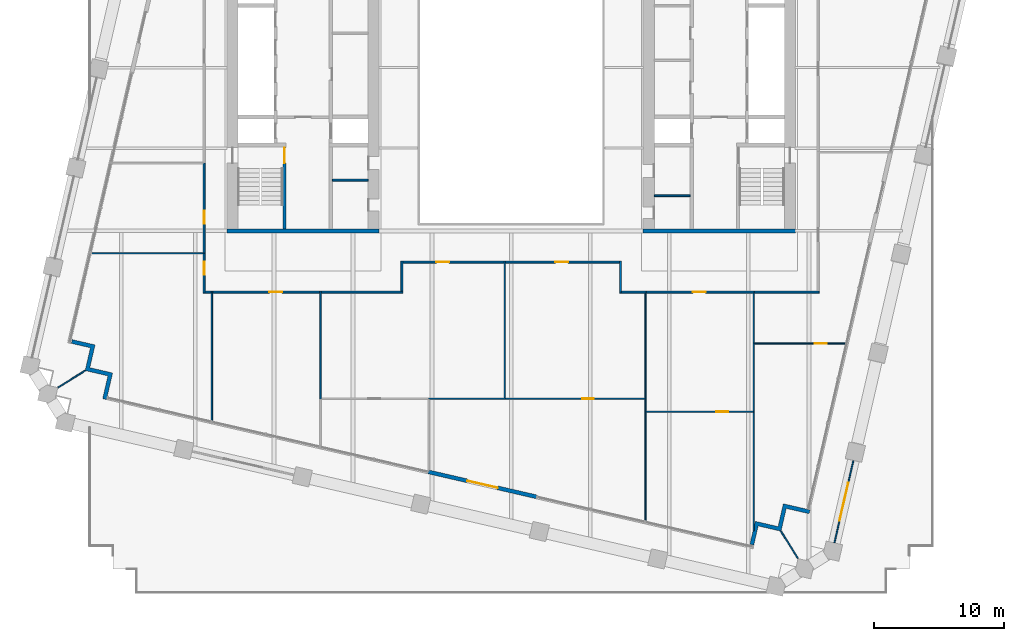
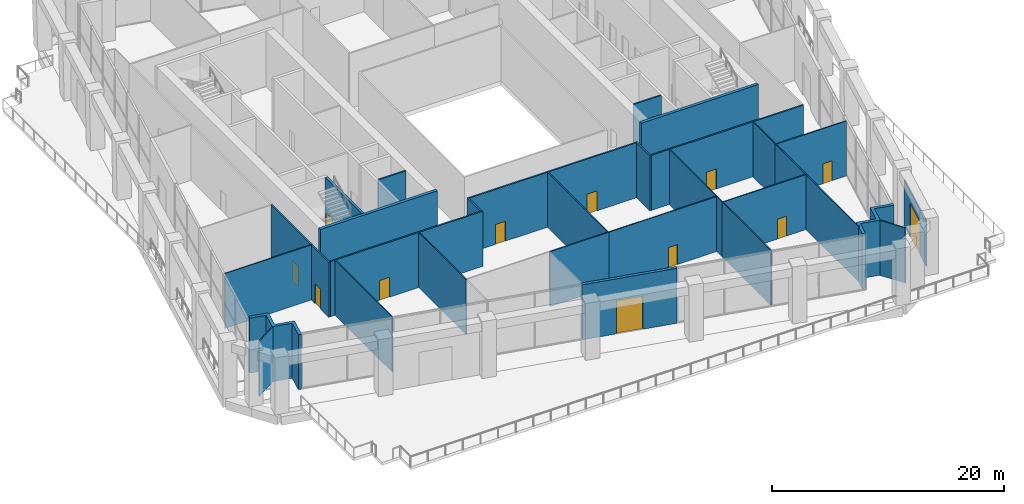
# One storey, part 15 of 23: 37 walls, 12 doors, 12 openings.
"""IFC4 building model written with IfcOpenShell, lengths in metres."""

import ifcopenshell
import ifcopenshell.guid

model = None  # the IFC model being written
_history = None  # IfcOwnerHistory: only IFC2X3 demands one
_inside = {}  # id of a spatial element -> (the spatial element, [elements in it])
_under = {}  # id of a project, library or spatial element -> (it, [spatial elements below it])
_declared = {}  # id of a project -> (the project, [libraries it declares])
_typed = {}  # id of a type object -> (the type object, [elements of that type])
_made_of = {}  # id of a material, layer set ... -> (it, [elements and type objects made of it])


def new_model(schema):
    """Start an empty IFC model of exactly this schema.

    Asked for "IFC4X3", IfcOpenShell would pick the latest addendum, in which some entities
    have other attributes; the version numbers below select the first issue.
    IFC2X3 requires an IfcOwnerHistory on every rooted entity: one is made here for all.
    """
    global model, _history
    if schema == "IFC4X3":
        model = ifcopenshell.file(schema_version=(4, 3, 0, 0))
    else:
        model = ifcopenshell.file(schema=schema)
    _inside.clear()
    _under.clear()
    _declared.clear()
    _typed.clear()
    _made_of.clear()
    _history = None
    if model.schema == "IFC2X3":
        org = make("IfcOrganization", Name="unknown")
        user = make(
            "IfcPersonAndOrganization",
            ThePerson=make("IfcPerson", FamilyName="unknown"),
            TheOrganization=org,
        )
        app = make(
            "IfcApplication",
            ApplicationDeveloper=org,
            Version="unknown",
            ApplicationFullName="unknown",
            ApplicationIdentifier="unknown",
        )
        _history = make(
            "IfcOwnerHistory",
            OwningUser=user,
            OwningApplication=app,
            ChangeAction="ADDED",
            CreationDate=0,
        )
    return model


def make(cls, **values):
    """One entity of the class cls with the attributes given. An attribute that is None is left unset."""
    return model.create_entity(
        cls, **{name: value for name, value in values.items() if value is not None}
    )


def rooted(cls, **values):
    """An entity with a GlobalId (a new one), such as an element, a storey or a relation."""
    return make(cls, GlobalId=ifcopenshell.guid.new(), OwnerHistory=_history, **values)


def si_unit(unit_type, name, prefix=None):
    """IfcSIUnit, for example si_unit("LENGTHUNIT", "METRE", prefix="MILLI")."""
    return make("IfcSIUnit", UnitType=unit_type, Prefix=prefix, Name=name)


def assignment(units):
    """IfcUnitAssignment: the units of a project."""
    return None if units is None else make("IfcUnitAssignment", Units=units)


def point(xyz):
    """IfcCartesianPoint."""
    return None if xyz is None else make("IfcCartesianPoint", Coordinates=xyz)


def direction(xyz):
    """IfcDirection."""
    return None if xyz is None else make("IfcDirection", DirectionRatios=xyz)


def frame(location, z_axis=None, x_axis=None):
    """IfcAxis2Placement3D, a coordinate frame: its origin and axes. An axis left out is left unset."""
    return make(
        "IfcAxis2Placement3D",
        Location=point(location),
        Axis=direction(z_axis),
        RefDirection=direction(x_axis),
    )


def frame_2d(location, x_axis=None):
    """IfcAxis2Placement2D, a coordinate frame in the plane: its origin and x axis."""
    return make(
        "IfcAxis2Placement2D", Location=point(location), RefDirection=direction(x_axis)
    )


def origin():
    """The frame at (0, 0, 0) with its axes left unset."""
    return frame((0.0, 0.0, 0.0))


def place(relative_to, where):
    """IfcLocalPlacement: puts the frame where relative to a parent placement (None: the world)."""
    return make(
        "IfcLocalPlacement", PlacementRelTo=relative_to, RelativePlacement=where
    )


def context(
    kind, dimensions, precision=None, world=None, true_north=None, identifier=None
):
    """IfcGeometricRepresentationContext, for example the 3D "Model" context."""
    return make(
        "IfcGeometricRepresentationContext",
        ContextIdentifier=identifier,
        ContextType=kind,
        CoordinateSpaceDimension=dimensions,
        Precision=precision,
        WorldCoordinateSystem=world,
        TrueNorth=true_north,
    )


def subcontext(parent, identifier, kind, view, scale=None):
    """IfcGeometricRepresentationSubContext, for example "Body" below "Model"."""
    return make(
        "IfcGeometricRepresentationSubContext",
        ContextIdentifier=identifier,
        ContextType=kind,
        ParentContext=parent,
        TargetScale=scale,
        TargetView=view,
    )


def project(units=None, contexts=None):
    """IfcProject with its units and contexts."""
    return rooted(
        "IfcProject",
        Name="project",
        RepresentationContexts=contexts,
        UnitsInContext=assignment(units),
    )


def spatial(cls, under=None, at=None, **own):
    """A site, building, storey or space (cls), placed at a placement, below another one or the project."""
    s = rooted(cls, ObjectPlacement=at, **own)
    if under is not None:
        _under.setdefault(under.id(), (under, []))[1].append(s)
    return s


def polyline(points):
    """IfcPolyline through the points."""
    return make("IfcPolyline", Points=[point(p) for p in points])


def profile(cls, at=None, kind="AREA", **sizes):
    """A parametric profile (cls). Its sizes go by their IFC names, for example OverallWidth=200.0."""
    return make(cls, ProfileType=kind, Position=at, **sizes)


def rectangle(**sizes):
    """IfcRectangleProfileDef."""
    return profile("IfcRectangleProfileDef", **sizes)


def outline(outer, holes=None, kind="AREA"):
    """IfcArbitraryClosedProfileDef: a profile drawn as a closed curve; with holes, ...WithVoids."""
    if holes is None:
        return make("IfcArbitraryClosedProfileDef", ProfileType=kind, OuterCurve=outer)
    return make(
        "IfcArbitraryProfileDefWithVoids",
        ProfileType=kind,
        OuterCurve=outer,
        InnerCurves=holes,
    )


def extrude(swept, where, along, depth):
    """IfcExtrudedAreaSolid: the profile swept, set in the frame where, extruded along a direction by depth."""
    return make(
        "IfcExtrudedAreaSolid",
        SweptArea=swept,
        Position=where,
        ExtrudedDirection=direction(along),
        Depth=depth,
    )


def shape(context_of_items, identifier, shape_type, items):
    """IfcShapeRepresentation: the items that make up one representation, for example the "Body"."""
    return make(
        "IfcShapeRepresentation",
        ContextOfItems=context_of_items,
        RepresentationIdentifier=identifier,
        RepresentationType=shape_type,
        Items=items,
    )


def material(Name=None, Category=None):
    """IfcMaterial."""
    return make("IfcMaterial", Name=Name, Category=Category)


def layer(
    of_material, thickness, ventilated=None, Name=None, Category=None, Priority=None
):
    """IfcMaterialLayer: one layer of a wall or slab, of a material (None: an air gap)."""
    return make(
        "IfcMaterialLayer",
        Material=of_material,
        LayerThickness=thickness,
        IsVentilated=ventilated,
        Name=Name,
        Category=Category,
        Priority=Priority,
    )


def layer_set(layers, Name=None):
    """IfcMaterialLayerSet."""
    return make("IfcMaterialLayerSet", MaterialLayers=layers, LayerSetName=Name)


def made_of(thing, what):
    """Note that an element or type object is made of a material, layer set ...; save() writes the relation."""
    if what is not None:
        _made_of.setdefault(what.id(), (what, []))[1].append(thing)
    return thing


def type_object(cls, material=None, **own):
    """A type object (cls), such as IfcWallType, which elements share."""
    return made_of(rooted(cls, **own), material)


def element(
    cls,
    number,
    at=None,
    inside=None,
    cuts=None,
    type_object=None,
    material=None,
    context=None,
    identifier="Body",
    shape_type=None,
    held_by="IfcProductDefinitionShape",
    body=None,
    shapes=None,
    **own,
):
    """One element of the class cls, such as IfcWall. Its Tag is "e" and its number.

    at: its placement. inside: the storey or other place that contains it. cuts: it is an
    opening in that element (IfcRelVoidsElement). A single representation is given by context,
    identifier, shape_type and body (its items); several are given by shapes. held_by: the class
    of the entity that holds the representations. save() writes the other relations.
    """
    e = rooted(cls, Tag="e%d" % number, ObjectPlacement=at, **own)
    if body is not None:
        shapes = [shape(context, identifier, shape_type, body)]
    if shapes is not None:
        e.Representation = make(held_by, Representations=shapes)
    if inside is not None:
        _inside.setdefault(inside.id(), (inside, []))[1].append(e)
    if cuts is not None:
        rooted(
            "IfcRelVoidsElement", RelatingBuildingElement=cuts, RelatedOpeningElement=e
        )
    if type_object is not None:
        _typed.setdefault(type_object.id(), (type_object, []))[1].append(e)
    return made_of(e, material)


def fill(opening, filler):
    """IfcRelFillsElement: the door or window that sits in an opening."""
    return rooted(
        "IfcRelFillsElement",
        RelatingOpeningElement=opening,
        RelatedBuildingElement=filler,
    )


def aggregate(whole, parts):
    """IfcRelAggregates: a whole, such as a stair, and the parts it consists of."""
    return rooted("IfcRelAggregates", RelatingObject=whole, RelatedObjects=parts)


def save(model, path):
    """Write the relations noted so far, then the file.

    IfcRelAggregates (storeys below a building ...), IfcRelContainedInSpatialStructure (elements
    in a storey), IfcRelDefinesByType, IfcRelAssociatesMaterial and IfcRelDeclares: one each for
    every whole, place, type object, material and project.
    """
    for whole, parts in _under.values():
        aggregate(whole, parts)
    for where, things in _inside.values():
        rooted(
            "IfcRelContainedInSpatialStructure",
            RelatedElements=things,
            RelatingStructure=where,
        )
    for kind, things in _typed.values():
        rooted("IfcRelDefinesByType", RelatedObjects=things, RelatingType=kind)
    for what, things in _made_of.values():
        rooted("IfcRelAssociatesMaterial", RelatedObjects=things, RelatingMaterial=what)
    for by, libraries in _declared.values():
        rooted("IfcRelDeclares", RelatingContext=by, RelatedDefinitions=libraries)
    model.write(path)


model = new_model("IFC4")

# Units and contexts
model_context = context("Model", 3, precision=1e-05, world=origin(), true_north=direction((0.0, 1.0)))
body_context = subcontext(model_context, "Body", "Model", "MODEL_VIEW")
ifc_project = project(units=[si_unit("LENGTHUNIT", "METRE"), si_unit("AREAUNIT", "SQUARE_METRE"), si_unit("VOLUMEUNIT", "CUBIC_METRE"), si_unit("PLANEANGLEUNIT", "RADIAN"), si_unit("MASSUNIT", "GRAM", prefix="KILO")], contexts=[model_context])

# Site, building, storey
site_placement = place(None, origin())
site = spatial("IfcSite", under=ifc_project, at=site_placement, CompositionType="ELEMENT")
building_placement = place(site_placement, origin())
building = spatial("IfcBuilding", under=site, at=building_placement, Name="Ogive Exchange Tower", CompositionType="ELEMENT")
storey_placement = place(building_placement, frame((0.0, 0.0, 99.60009765625)))
storey = spatial("IfcBuildingStorey", under=building, at=storey_placement, Name="L21", CompositionType="ELEMENT", Elevation=99.60009765625)

# Walls
ifc_material_1 = material(Name="Gypsum board partition")
ifc_layer_1 = layer(ifc_material_1, 0.14990234375)
ifc_layer_set_1 = layer_set([ifc_layer_1], Name="Core room partition 150 gypsum")
wall_type_1 = type_object("IfcWallType", Name="Core room partition 150 gypsum", PredefinedType="PARTITIONING", material=ifc_layer_set_1)
for number, where, z_axis, x_axis, name in (
    (1, (-13.75, 1.300048828125, 0.0), (0.0, 0.0, 1.0), (1.0, 0.0, 0.0), "W south room partition"),
    (2, (11.0, 0.10009765625, 0.0), (0.0, 0.0, 1.0), (1.0, 0.0, 0.0), "E south room partition"),
):
    element("IfcWall", number, at=place(storey_placement, frame(where, z_axis=z_axis, x_axis=x_axis)), inside=storey, type_object=wall_type_1, Name=name, PredefinedType="PARTITIONING", context=body_context, shape_type="SweptSolid", body=[
        extrude(rectangle(XDim=2.75, YDim=0.14990234375, at=frame_2d((1.375, 0.0))), origin(), (0.0, 0.0, 1.0), 5.7998046875),
    ])

# Wall, opening, door
ifc_material_2 = material(Name="Fire partition EI 60 150")
ifc_layer_2 = layer(ifc_material_2, 0.14990234375)
ifc_layer_set_2 = layer_set([ifc_layer_2], Name="Fire partition EI 60 150")
wall_type_2 = type_object("IfcWallType", Name="Fire partition EI 60 150", PredefinedType="PARTITIONING", material=ifc_layer_set_2)
wall_1_placement = place(storey_placement, frame((-23.60009765625, -7.375, 0.0), z_axis=(0.0, 0.0, 1.0), x_axis=(0.0, 1.0, 0.0)))
wall_1 = element("IfcWall", 3, at=wall_1_placement, inside=storey, type_object=wall_type_2, Name="L21-PWL-002", PredefinedType="PARTITIONING", context=body_context, shape_type="SweptSolid", body=[
    extrude(rectangle(XDim=3.054931640625, YDim=0.14990234375, at=frame_2d((1.52734375, 0.0))), origin(), (0.0, 0.0, 1.0), 5.7998046875),
])
opening_1_placement = place(wall_1_placement, frame((1.405029296875, 0.0, 0.0)))
opening_1 = element("IfcOpeningElement", 4, at=opening_1_placement, cuts=wall_1, Name="Opening L21-I24", PredefinedType="OPENING", context=body_context, shape_type="SweptSolid", body=[
    extrude(rectangle(XDim=1.0, YDim=2.10009765625, at=frame_2d((0.5, 1.050048828125))), frame((0.0, 0.0849609375, 0.0), z_axis=(0.0, -1.0, 0.0), x_axis=(1.0, 0.0, 0.0)), (0.0, 0.0, 1.0), 0.169921875),
])
ifc_material_3 = material(Name="Fire door FD 30S 1000 x 2100")
door_type_1 = type_object("IfcDoorType", Name="Fire door FD 30S 1000 x 2100", OperationType="NOTDEFINED", PredefinedType="DOOR", material=ifc_material_3)
door_1_placement = place(opening_1_placement, origin())
door_1 = element("IfcDoor", 5, at=door_1_placement, inside=storey, type_object=door_type_1, Name="L21-IDR-024", ObjectType="DT3", OperationType="SINGLE_SWING_LEFT", OverallHeight=2.10009765625, OverallWidth=1.0, PredefinedType="DOOR", context=body_context, shape_type="SweptSolid", body=[
    extrude(rectangle(XDim=1.0, YDim=2.10009765625, at=frame_2d((0.5, 1.050048828125))), frame((0.0, 0.02490234375, 0.0), z_axis=(0.0, -1.0, 0.0), x_axis=(1.0, 0.0, 0.0)), (0.0, 0.0, 1.0), 0.050048828125),
])
fill(opening_1, door_1)

wall_2_placement = place(storey_placement, frame((-23.60009765625, -4.320068359375, 0.0), z_axis=(0.0, 0.0, 1.0), x_axis=(0.0, 1.0, 0.0)))
wall_2 = element("IfcWall", 6, at=wall_2_placement, inside=storey, type_object=wall_type_2, Name="L21-PWL-004", PredefinedType="PARTITIONING", context=body_context, shape_type="SweptSolid", body=[
    extrude(rectangle(XDim=6.93017578125, YDim=0.14990234375, at=frame_2d((3.465087890625, 0.0))), origin(), (0.0, 0.0, 1.0), 5.7998046875),
])
opening_2_placement = place(wall_2_placement, frame((2.280029296875, 0.0, 0.0)))
opening_2 = element("IfcOpeningElement", 7, at=opening_2_placement, cuts=wall_2, Name="Opening L21-I22", PredefinedType="OPENING", context=body_context, shape_type="SweptSolid", body=[
    extrude(rectangle(XDim=1.0, YDim=2.10009765625, at=frame_2d((0.5, 1.050048828125))), frame((0.0, 0.0849609375, 0.0), z_axis=(0.0, -1.0, 0.0), x_axis=(1.0, 0.0, 0.0)), (0.0, 0.0, 1.0), 0.169921875),
])
door_2_placement = place(opening_2_placement, origin())
door_2 = element("IfcDoor", 8, at=door_2_placement, inside=storey, type_object=door_type_1, Name="L21-IDR-022", ObjectType="DT3", OperationType="SINGLE_SWING_RIGHT", OverallHeight=2.10009765625, OverallWidth=1.0, PredefinedType="DOOR", context=body_context, shape_type="SweptSolid", body=[
    extrude(rectangle(XDim=1.0, YDim=2.10009765625, at=frame_2d((0.5, 1.050048828125))), frame((0.0, 0.02490234375, 0.0), z_axis=(0.0, -1.0, 0.0), x_axis=(1.0, 0.0, 0.0)), (0.0, 0.0, 1.0), 0.050048828125),
])
fill(opening_2, door_2)

# Wall
wall_3_placement = place(storey_placement, frame((-23.06005859375, -7.300048828125, 0.0), z_axis=(0.0, 0.0, 1.0), x_axis=(-1.0, 0.0, 0.0)))
element("IfcWall", 9, at=wall_3_placement, inside=storey, type_object=wall_type_2, Name="L21-PWL-012", PredefinedType="PARTITIONING", context=body_context, shape_type="SweptSolid", body=[
    extrude(rectangle(XDim=0.46484375, YDim=0.14990234375, at=frame_2d((0.232421875, 0.0))), origin(), (0.0, 0.0, 1.0), 5.7998046875),
])

# Wall, opening, door
wall_4_placement = place(storey_placement, frame((-14.719970703125, -7.300048828125, 0.0), z_axis=(0.0, 0.0, 1.0), x_axis=(-1.0, 0.0, 0.0)))
wall_4 = element("IfcWall", 10, at=wall_4_placement, inside=storey, type_object=wall_type_2, Name="L21-PWL-015", PredefinedType="PARTITIONING", context=body_context, shape_type="SweptSolid", body=[
    extrude(rectangle(XDim=8.239990234375, YDim=0.14990234375, at=frame_2d((4.1201171875, 0.0))), origin(), (0.0, 0.0, 1.0), 5.7998046875),
])
opening_3_placement = place(wall_4_placement, frame((2.889892578125, 0.0, 0.0)))
opening_3 = element("IfcOpeningElement", 11, at=opening_3_placement, cuts=wall_4, Name="Opening L21-I23", PredefinedType="OPENING", context=body_context, shape_type="SweptSolid", body=[
    extrude(rectangle(XDim=1.0, YDim=2.10009765625, at=frame_2d((0.5, 1.050048828125))), frame((0.0, 0.0849609375, 0.0), z_axis=(0.0, -1.0, 0.0), x_axis=(1.0, 0.0, 0.0)), (0.0, 0.0, 1.0), 0.169921875),
])
door_3_placement = place(opening_3_placement, origin())
door_3 = element("IfcDoor", 12, at=door_3_placement, inside=storey, type_object=door_type_1, Name="L21-IDR-023", ObjectType="DT3", OperationType="SINGLE_SWING_RIGHT", OverallHeight=2.10009765625, OverallWidth=1.0, PredefinedType="DOOR", context=body_context, shape_type="SweptSolid", body=[
    extrude(rectangle(XDim=1.0, YDim=2.10009765625, at=frame_2d((0.5, 1.050048828125))), frame((0.0, 0.02490234375, 0.0), z_axis=(0.0, -1.0, 0.0), x_axis=(1.0, 0.0, 0.0)), (0.0, 0.0, 1.0), 0.050048828125),
])
fill(opening_3, door_3)

# Walls
wall_5_placement = place(storey_placement, frame((-8.324951171875, -7.300048828125, 0.0), z_axis=(0.0, 0.0, 1.0), x_axis=(-1.0, 0.0, 0.0)))
element("IfcWall", 13, at=wall_5_placement, inside=storey, type_object=wall_type_2, Name="L21-PWL-018", PredefinedType="PARTITIONING", context=body_context, shape_type="SweptSolid", body=[
    extrude(rectangle(XDim=6.295166015625, YDim=0.14990234375, at=frame_2d((3.1474609375, 0.0))), origin(), (0.0, 0.0, 1.0), 5.7998046875),
])
wall_6_placement = place(storey_placement, frame((-8.39990234375, -4.925048828125, 0.0), z_axis=(0.0, 0.0, 1.0), x_axis=(0.0, -1.0, 0.0)))
element("IfcWall", 14, at=wall_6_placement, inside=storey, type_object=wall_type_2, Name="L21-PWL-019", PredefinedType="PARTITIONING", context=body_context, shape_type="SweptSolid", body=[
    extrude(rectangle(XDim=2.300048828125, YDim=0.14990234375, at=frame_2d((1.14990234375, 0.0))), origin(), (0.0, 0.0, 1.0), 5.7998046875),
])

# Wall, opening, door
wall_7_placement = place(storey_placement, frame((-0.550048828125, -5.0, 0.0), z_axis=(0.0, 0.0, 1.0), x_axis=(-1.0, 0.0, 0.0)))
wall_7 = element("IfcWall", 15, at=wall_7_placement, inside=storey, type_object=wall_type_2, Name="L21-PWL-029", PredefinedType="PARTITIONING", context=body_context, shape_type="SweptSolid", body=[
    extrude(rectangle(XDim=7.77490234375, YDim=0.14990234375, at=frame_2d((3.887451171875, 0.0))), origin(), (0.0, 0.0, 1.0), 5.7998046875),
])
opening_4_placement = place(wall_7_placement, frame((4.199951171875, 0.0, 0.0)))
opening_4 = element("IfcOpeningElement", 16, at=opening_4_placement, cuts=wall_7, Name="Opening L21-I07", PredefinedType="OPENING", context=body_context, shape_type="SweptSolid", body=[
    extrude(rectangle(XDim=1.0, YDim=2.10009765625, at=frame_2d((0.5, 1.050048828125))), frame((0.0, 0.0849609375, 0.0), z_axis=(0.0, -1.0, 0.0), x_axis=(1.0, 0.0, 0.0)), (0.0, 0.0, 1.0), 0.169921875),
])
door_4_placement = place(opening_4_placement, origin())
door_4 = element("IfcDoor", 17, at=door_4_placement, inside=storey, type_object=door_type_1, Name="L21-IDR-007", ObjectType="DT3", OperationType="SINGLE_SWING_LEFT", OverallHeight=2.10009765625, OverallWidth=1.0, PredefinedType="DOOR", context=body_context, shape_type="SweptSolid", body=[
    extrude(rectangle(XDim=1.0, YDim=2.10009765625, at=frame_2d((0.5, 1.050048828125))), frame((0.0, 0.02490234375, 0.0), z_axis=(0.0, -1.0, 0.0), x_axis=(1.0, 0.0, 0.0)), (0.0, 0.0, 1.0), 0.050048828125),
])
fill(opening_4, door_4)

# Wall
wall_8_placement = place(storey_placement, frame((8.39990234375, -7.375, 0.0), z_axis=(0.0, 0.0, 1.0), x_axis=(0.0, 1.0, 0.0)))
element("IfcWall", 18, at=wall_8_placement, inside=storey, type_object=wall_type_2, Name="L21-PWL-035", PredefinedType="PARTITIONING", context=body_context, shape_type="SweptSolid", body=[
    extrude(rectangle(XDim=2.449951171875, YDim=0.14990234375, at=frame_2d((1.22509765625, 0.0))), origin(), (0.0, 0.0, 1.0), 5.7998046875),
])

# Wall, opening, door
wall_9_placement = place(storey_placement, frame((8.324951171875, -5.0, 0.0), z_axis=(0.0, 0.0, 1.0), x_axis=(-1.0, 0.0, 0.0)))
wall_9 = element("IfcWall", 19, at=wall_9_placement, inside=storey, type_object=wall_type_2, Name="L21-PWL-036", PredefinedType="PARTITIONING", context=body_context, shape_type="SweptSolid", body=[
    extrude(rectangle(XDim=8.77490234375, YDim=0.14990234375, at=frame_2d((4.387451171875, 0.0))), origin(), (0.0, 0.0, 1.0), 5.7998046875),
])
opening_5_placement = place(wall_9_placement, frame((3.925048828125, 0.0, 0.0)))
opening_5 = element("IfcOpeningElement", 20, at=opening_5_placement, cuts=wall_9, Name="Opening L21-I06", PredefinedType="OPENING", context=body_context, shape_type="SweptSolid", body=[
    extrude(rectangle(XDim=1.0, YDim=2.10009765625, at=frame_2d((0.5, 1.050048828125))), frame((0.0, 0.0849609375, 0.0), z_axis=(0.0, -1.0, 0.0), x_axis=(1.0, 0.0, 0.0)), (0.0, 0.0, 1.0), 0.169921875),
])
door_5_placement = place(opening_5_placement, origin())
door_5 = element("IfcDoor", 21, at=door_5_placement, inside=storey, type_object=door_type_1, Name="L21-IDR-006", ObjectType="DT3", OperationType="SINGLE_SWING_LEFT", OverallHeight=2.10009765625, OverallWidth=1.0, PredefinedType="DOOR", context=body_context, shape_type="SweptSolid", body=[
    extrude(rectangle(XDim=1.0, YDim=2.10009765625, at=frame_2d((0.5, 1.050048828125))), frame((0.0, 0.02490234375, 0.0), z_axis=(0.0, -1.0, 0.0), x_axis=(1.0, 0.0, 0.0)), (0.0, 0.0, 1.0), 0.050048828125),
])
fill(opening_5, door_5)

# Wall
wall_10_placement = place(storey_placement, frame((10.3701171875, -7.300048828125, 0.0), z_axis=(0.0, 0.0, 1.0), x_axis=(-1.0, 0.0, 0.0)))
element("IfcWall", 22, at=wall_10_placement, inside=storey, type_object=wall_type_2, Name="L21-PWL-044", PredefinedType="PARTITIONING", context=body_context, shape_type="SweptSolid", body=[
    extrude(rectangle(XDim=1.89501953125, YDim=0.14990234375, at=frame_2d((0.947509765625, 0.0))), origin(), (0.0, 0.0, 1.0), 5.7998046875),
])

# Wall, opening, door
wall_11_placement = place(storey_placement, frame((18.699951171875, -7.300048828125, 0.0), z_axis=(0.0, 0.0, 1.0), x_axis=(-1.0, 0.0, 0.0)))
wall_11 = element("IfcWall", 23, at=wall_11_placement, inside=storey, type_object=wall_type_2, Name="L21-PWL-052", PredefinedType="PARTITIONING", context=body_context, shape_type="SweptSolid", body=[
    extrude(rectangle(XDim=8.3798828125, YDim=0.14990234375, at=frame_2d((4.18994140625, 0.0))), origin(), (0.0, 0.0, 1.0), 5.7998046875),
])
opening_6_placement = place(wall_11_placement, frame((3.72998046875, 0.0, 0.0)))
opening_6 = element("IfcOpeningElement", 24, at=opening_6_placement, cuts=wall_11, Name="Opening L21-I11", PredefinedType="OPENING", context=body_context, shape_type="SweptSolid", body=[
    extrude(rectangle(XDim=1.0, YDim=2.10009765625, at=frame_2d((0.5, 1.050048828125))), frame((0.0, 0.0849609375, 0.0), z_axis=(0.0, -1.0, 0.0), x_axis=(1.0, 0.0, 0.0)), (0.0, 0.0, 1.0), 0.169921875),
])
door_6_placement = place(opening_6_placement, origin())
door_6 = element("IfcDoor", 25, at=door_6_placement, inside=storey, type_object=door_type_1, Name="L21-IDR-011", ObjectType="DT3", OperationType="SINGLE_SWING_LEFT", OverallHeight=2.10009765625, OverallWidth=1.0, PredefinedType="DOOR", context=body_context, shape_type="SweptSolid", body=[
    extrude(rectangle(XDim=1.0, YDim=2.10009765625, at=frame_2d((0.5, 1.050048828125))), frame((0.0, 0.02490234375, 0.0), z_axis=(0.0, -1.0, 0.0), x_axis=(1.0, 0.0, 0.0)), (0.0, 0.0, 1.0), 0.050048828125),
])
fill(opening_6, door_6)

# Wall
wall_12_placement = place(storey_placement, frame((23.675048828125, -7.300048828125, 0.0), z_axis=(0.0, 0.0, 1.0), x_axis=(-1.0, 0.0, 0.0)))
element("IfcWall", 26, at=wall_12_placement, inside=storey, type_object=wall_type_2, Name="L21-PWL-058", PredefinedType="PARTITIONING", context=body_context, shape_type="SweptSolid", body=[
    extrude(rectangle(XDim=4.97509765625, YDim=0.14990234375, at=frame_2d((2.487548828125, 0.0))), origin(), (0.0, 0.0, 1.0), 5.7998046875),
])

# Wall, opening, door
ifc_material_4 = material(Name="Precast concrete C40/50", Category="concrete")
ifc_layer_3 = layer(ifc_material_4, 0.300048828125)
ifc_layer_set_3 = layer_set([ifc_layer_3], Name="Limestone-faced wall 300")
wall_type_3 = type_object("IfcWallType", Name="Limestone-faced wall 300", PredefinedType="STANDARD", material=ifc_layer_set_3)
wall_13_placement = place(storey_placement, frame((-6.37744140625, -21.123291015625, 0.0), z_axis=(0.0, 0.0, 1.0), x_axis=(0.974370979495, -0.224947092265, 0.0)))
wall_13 = element("IfcWall", 27, at=wall_13_placement, inside=storey, type_object=wall_type_3, Name="External wall S1", PredefinedType="STANDARD", context=body_context, shape_type="SweptSolid", body=[
    extrude(rectangle(XDim=8.55029296875, YDim=0.300048828125, at=frame_2d((4.275146484375, 0.0))), origin(), (0.0, 0.0, 1.0), 5.7998046875),
])
opening_7_placement = place(wall_13_placement, frame((3.074951171875, 0.0, 0.0)))
opening_7 = element("IfcOpeningElement", 28, at=opening_7_placement, cuts=wall_13, Name="Opening D1", PredefinedType="OPENING", context=body_context, shape_type="SweptSolid", body=[
    extrude(rectangle(XDim=2.39990234375, YDim=3.5, at=frame_2d((1.199951171875, 1.75))), frame((0.0, 0.159912109375, 0.0), z_axis=(0.0, -1.0, 0.0), x_axis=(1.0, 0.0, 0.0)), (0.0, 0.0, 1.0), 0.320068359375),
])
ifc_material_5 = material(Name="Clear glass in bronze frame", Category="glass")
door_type_2 = type_object("IfcDoorType", Name="Sliding loggia door 2400 x 3500", OperationType="DOUBLE_DOOR_SLIDING", PredefinedType="DOOR", material=ifc_material_5)
door_7_placement = place(opening_7_placement, origin())
door_7 = element("IfcDoor", 29, at=door_7_placement, inside=storey, type_object=door_type_2, Name="Loggia door S03", OperationType="DOUBLE_DOOR_SLIDING", OverallHeight=3.5, OverallWidth=2.39990234375, PredefinedType="DOOR", context=body_context, shape_type="SweptSolid", body=[
    extrude(rectangle(XDim=2.39990234375, YDim=3.5, at=frame_2d((1.199951171875, 1.75))), frame((0.0, 0.02490234375, 0.0), z_axis=(0.0, -1.0, 0.0), x_axis=(1.0, 0.0, 0.0)), (0.0, 0.0, 1.0), 0.050048828125),
])
fill(opening_7, door_7)

# Walls
wall_14_placement = place(storey_placement, origin())
element("IfcWall", 30, at=wall_14_placement, inside=storey, type_object=wall_type_3, Name="External corner wall C1", PredefinedType="STANDARD", context=body_context, shape_type="SweptSolid", body=[
    extrude(outline(polyline([(20.515380859375, -25.330810546875), (20.92041015625, -23.576904296875), (22.966552734375, -24.04931640625), (22.89892578125, -24.341552734375), (21.145263671875, -23.936767578125), (20.740234375, -25.690673828125), (18.986328125, -25.28564453125), (18.64892578125, -26.747314453125), (18.356689453125, -26.6796875), (18.76171875, -24.92578125), (20.515380859375, -25.330810546875)])), origin(), (0.0, 0.0, 1.0), 5.7998046875),
])
wall_15_placement = place(storey_placement, origin())
element("IfcWall", 31, at=wall_15_placement, inside=storey, type_object=wall_type_3, Name="External corner wall C4", PredefinedType="STANDARD", context=body_context, shape_type="SweptSolid", body=[
    extrude(outline(polyline([(-32.392822265625, -13.115966796875), (-30.638916015625, -13.52099609375), (-31.111328125, -15.56689453125), (-31.40380859375, -15.49951171875), (-30.998779296875, -13.74560546875), (-32.752685546875, -13.3408203125), (-32.34765625, -11.5869140625), (-33.809326171875, -11.24951171875), (-33.74169921875, -10.957275390625), (-31.98779296875, -11.362060546875), (-32.392822265625, -13.115966796875)])), origin(), (0.0, 0.0, 1.0), 5.7998046875),
])
ifc_material_6 = material(Name="Laminated safety glass in steel frame", Category="steel")
ifc_layer_4 = layer(ifc_material_6, 0.10009765625)
ifc_layer_set_4 = layer_set([ifc_layer_4], Name="Loggia end screen 100")
wall_type_4 = type_object("IfcWallType", Name="Loggia end screen 100", PredefinedType="STANDARD", material=ifc_layer_set_4)
for number, where, z_axis, x_axis, name in (
    (32, (20.740234375, -25.690673828125, 0.0), (0.0, 0.0, 1.0), (0.529972121605, -0.848015064914, 0.0), "Loggia end screen C1"),
    (33, (-32.752685546875, -13.3408203125, 0.0), (0.0, 0.0, 1.0), (-0.848059759764, -0.529900598103, 0.0), "Loggia end screen C4"),
):
    element("IfcWall", number, at=place(storey_placement, frame(where, z_axis=z_axis, x_axis=x_axis)), inside=storey, type_object=wall_type_4, Name=name, PredefinedType="STANDARD", context=body_context, shape_type="SweptSolid", body=[
        extrude(rectangle(XDim=2.454833984375, YDim=0.10009765625, at=frame_2d((1.2275390625, 0.0))), origin(), (0.0, 0.0, 1.0), 5.7998046875),
    ])

# Wall, opening, door
wall_16_placement = place(storey_placement, frame((24.848388671875, -26.567138671875, 0.0), z_axis=(0.0, 0.0, 1.0), x_axis=(0.224942310176, 0.974372083494, 0.0)))
wall_16 = element("IfcWall", 34, at=wall_16_placement, inside=storey, type_object=wall_type_4, Name="Terrace screen E00", PredefinedType="STANDARD", context=body_context, shape_type="SweptSolid", body=[
    extrude(rectangle(XDim=6.4599609375, YDim=0.10009765625, at=frame_2d((3.22998046875, 0.0))), origin(), (0.0, 0.0, 1.0), 4.849853515625),
])
opening_8_placement = place(wall_16_placement, frame((1.72998046875, 0.0, 0.0)))
opening_8 = element("IfcOpeningElement", 35, at=opening_8_placement, cuts=wall_16, Name="Opening D4", PredefinedType="OPENING", context=body_context, shape_type="SweptSolid", body=[
    extrude(rectangle(XDim=3.0, YDim=3.5, at=frame_2d((1.5, 1.75))), frame((0.0, 0.06005859375, 0.0), z_axis=(0.0, -1.0, 0.0), x_axis=(1.0, 0.0, 0.0)), (0.0, 0.0, 1.0), 0.1201171875),
])
door_type_3 = type_object("IfcDoorType", Name="Terrace sliding door 3000 x 3500", OperationType="DOUBLE_DOOR_SLIDING", PredefinedType="DOOR", material=ifc_material_5)
door_8_placement = place(opening_8_placement, origin())
door_8 = element("IfcDoor", 36, at=door_8_placement, inside=storey, type_object=door_type_3, Name="Terrace door E00", OperationType="DOUBLE_DOOR_SLIDING", OverallHeight=3.5, OverallWidth=3.0, PredefinedType="DOOR", context=body_context, shape_type="SweptSolid", body=[
    extrude(rectangle(XDim=3.0, YDim=3.5, at=frame_2d((1.5, 1.75))), frame((0.0, 0.02490234375, 0.0), z_axis=(0.0, -1.0, 0.0), x_axis=(1.0, 0.0, 0.0)), (0.0, 0.0, 1.0), 0.050048828125),
])
fill(opening_8, door_8)

# Walls
ifc_material_7 = material(Name="Partition 100 gypsum")
ifc_layer_5 = layer(ifc_material_7, 0.10009765625)
ifc_layer_set_5 = layer_set([ifc_layer_5], Name="Partition 100 gypsum")
wall_type_5 = type_object("IfcWallType", Name="Partition 100 gypsum", PredefinedType="PARTITIONING", material=ifc_layer_set_5)
wall_17_placement = place(storey_placement, frame((-23.675048828125, -4.320068359375, 0.0), z_axis=(0.0, 0.0, 1.0), x_axis=(-1.0, 0.0, 0.0)))
element("IfcWall", 37, at=wall_17_placement, inside=storey, type_object=wall_type_5, Name="L21-PWL-003", PredefinedType="PARTITIONING", context=body_context, shape_type="SweptSolid", body=[
    extrude(rectangle(XDim=8.616943359375, YDim=0.10009765625, at=frame_2d((4.30859375, 0.0))), origin(), (0.0, 0.0, 1.0), 5.7998046875),
])
wall_18_placement = place(storey_placement, frame((-23.010009765625, -17.2119140625, 0.0), z_axis=(0.0, 0.0, 1.0), x_axis=(0.0, 1.0, 0.0)))
element("IfcWall", 38, at=wall_18_placement, inside=storey, type_object=wall_type_5, Name="L21-PWL-011", PredefinedType="PARTITIONING", context=body_context, shape_type="SweptSolid", body=[
    extrude(rectangle(XDim=9.98681640625, YDim=0.10009765625, at=frame_2d((4.993408203125, 0.0))), origin(), (0.0, 0.0, 1.0), 5.7998046875),
])
wall_19_placement = place(storey_placement, frame((-14.669921875, -15.550048828125, 0.0), z_axis=(0.0, 0.0, 1.0), x_axis=(0.0, 1.0, 0.0)))
element("IfcWall", 39, at=wall_19_placement, inside=storey, type_object=wall_type_5, Name="L21-PWL-014", PredefinedType="PARTITIONING", context=body_context, shape_type="SweptSolid", body=[
    extrude(rectangle(XDim=8.324951171875, YDim=0.10009765625, at=frame_2d((4.16259765625, 0.0))), origin(), (0.0, 0.0, 1.0), 5.7998046875),
])
wall_20_placement = place(storey_placement, frame((-0.449951171875, -15.5, 0.0), z_axis=(0.0, 0.0, 1.0), x_axis=(-1.0, 0.0, 0.0)))
element("IfcWall", 40, at=wall_20_placement, inside=storey, type_object=wall_type_5, Name="L21-PWL-027", PredefinedType="PARTITIONING", context=body_context, shape_type="SweptSolid", body=[
    extrude(rectangle(XDim=5.89013671875, YDim=0.10009765625, at=frame_2d((2.945068359375, 0.0))), origin(), (0.0, 0.0, 1.0), 5.7998046875),
])
wall_21_placement = place(storey_placement, frame((-0.5, -15.449951171875, 0.0), z_axis=(0.0, 0.0, 1.0), x_axis=(0.0, 1.0, 0.0)))
element("IfcWall", 41, at=wall_21_placement, inside=storey, type_object=wall_type_5, Name="L21-PWL-028", PredefinedType="PARTITIONING", context=body_context, shape_type="SweptSolid", body=[
    extrude(rectangle(XDim=10.52490234375, YDim=0.10009765625, at=frame_2d((5.262451171875, 0.0))), origin(), (0.0, 0.0, 1.0), 5.7998046875),
])
wall_22_placement = place(storey_placement, frame((10.320068359375, -16.449951171875, 0.0), z_axis=(0.0, 0.0, 1.0), x_axis=(0.0, -1.0, 0.0)))
element("IfcWall", 42, at=wall_22_placement, inside=storey, type_object=wall_type_5, Name="L21-PWL-041", PredefinedType="PARTITIONING", context=body_context, shape_type="SweptSolid", body=[
    extrude(rectangle(XDim=8.45703125, YDim=0.10009765625, at=frame_2d((4.228515625, 0.0))), origin(), (0.0, 0.0, 1.0), 5.7998046875),
])

# Wall, opening, door
wall_23_placement = place(storey_placement, frame((10.3701171875, -15.5, 0.0), z_axis=(0.0, 0.0, 1.0), x_axis=(-1.0, 0.0, 0.0)))
wall_23 = element("IfcWall", 43, at=wall_23_placement, inside=storey, type_object=wall_type_5, Name="L21-PWL-042", PredefinedType="PARTITIONING", context=body_context, shape_type="SweptSolid", body=[
    extrude(rectangle(XDim=10.8701171875, YDim=0.10009765625, at=frame_2d((5.43505859375, 0.0))), origin(), (0.0, 0.0, 1.0), 5.7998046875),
])
opening_9_placement = place(wall_23_placement, frame((4.02001953125, 0.0, 0.0)))
opening_9 = element("IfcOpeningElement", 44, at=opening_9_placement, cuts=wall_23, Name="Opening L21-I09", PredefinedType="OPENING", context=body_context, shape_type="SweptSolid", body=[
    extrude(rectangle(XDim=0.89990234375, YDim=2.10009765625, at=frame_2d((0.449951171875, 1.050048828125))), frame((0.0, 0.06005859375, 0.0), z_axis=(0.0, -1.0, 0.0), x_axis=(1.0, 0.0, 0.0)), (0.0, 0.0, 1.0), 0.1201171875),
])
ifc_material_8 = material(Name="Door 900 x 2100")
door_type_4 = type_object("IfcDoorType", Name="Door 900 x 2100", OperationType="NOTDEFINED", PredefinedType="DOOR", material=ifc_material_8)
door_9_placement = place(opening_9_placement, frame((0.89990234375, 0.0, 0.0), z_axis=(0.0, 0.0, 1.0), x_axis=(-1.0, 0.0, 0.0)))
door_9 = element("IfcDoor", 45, at=door_9_placement, inside=storey, type_object=door_type_4, Name="L21-IDR-009", ObjectType="DT1", OperationType="SINGLE_SWING_LEFT", OverallHeight=2.10009765625, OverallWidth=0.89990234375, PredefinedType="DOOR", context=body_context, shape_type="SweptSolid", body=[
    extrude(rectangle(XDim=0.89990234375, YDim=2.10009765625, at=frame_2d((0.449951171875, 1.050048828125))), frame((0.0, 0.02490234375, 0.0), z_axis=(0.0, -1.0, 0.0), x_axis=(1.0, 0.0, 0.0)), (0.0, 0.0, 1.0), 0.050048828125),
])
fill(opening_9, door_9)

# Walls
wall_24_placement = place(storey_placement, frame((10.320068359375, -15.550048828125, 0.0), z_axis=(0.0, 0.0, 1.0), x_axis=(0.0, -1.0, 0.0)))
element("IfcWall", 46, at=wall_24_placement, inside=storey, type_object=wall_type_5, Name="L21-PWL-043", PredefinedType="PARTITIONING", context=body_context, shape_type="SweptSolid", body=[
    extrude(rectangle(XDim=0.89990234375, YDim=0.10009765625, at=frame_2d((0.449951171875, 0.0))), origin(), (0.0, 0.0, 1.0), 5.7998046875),
])
wall_25_placement = place(storey_placement, frame((10.320068359375, -7.375, 0.0), z_axis=(0.0, 0.0, 1.0), x_axis=(0.0, -1.0, 0.0)))
element("IfcWall", 47, at=wall_25_placement, inside=storey, type_object=wall_type_5, Name="L21-PWL-045", PredefinedType="PARTITIONING", context=body_context, shape_type="SweptSolid", body=[
    extrude(rectangle(XDim=8.074951171875, YDim=0.10009765625, at=frame_2d((4.03759765625, 0.0))), origin(), (0.0, 0.0, 1.0), 5.7998046875),
])

# Wall, opening, door
wall_26_placement = place(storey_placement, frame((18.699951171875, -16.5, 0.0), z_axis=(0.0, 0.0, 1.0), x_axis=(-1.0, 0.0, 0.0)))
wall_26 = element("IfcWall", 48, at=wall_26_placement, inside=storey, type_object=wall_type_5, Name="L21-PWL-048", PredefinedType="PARTITIONING", context=body_context, shape_type="SweptSolid", body=[
    extrude(rectangle(XDim=8.329833984375, YDim=0.10009765625, at=frame_2d((4.1650390625, 0.0))), origin(), (0.0, 0.0, 1.0), 5.7998046875),
])
opening_10_placement = place(wall_26_placement, frame((2.030029296875, 0.0, 0.0)))
opening_10 = element("IfcOpeningElement", 49, at=opening_10_placement, cuts=wall_26, Name="Opening L21-I12", PredefinedType="OPENING", context=body_context, shape_type="SweptSolid", body=[
    extrude(rectangle(XDim=0.89990234375, YDim=2.10009765625, at=frame_2d((0.449951171875, 1.050048828125))), frame((0.0, 0.06005859375, 0.0), z_axis=(0.0, -1.0, 0.0), x_axis=(1.0, 0.0, 0.0)), (0.0, 0.0, 1.0), 0.1201171875),
])
door_10_placement = place(opening_10_placement, frame((0.89990234375, 0.0, 0.0), z_axis=(0.0, 0.0, 1.0), x_axis=(-1.0, 0.0, 0.0)))
door_10 = element("IfcDoor", 50, at=door_10_placement, inside=storey, type_object=door_type_4, Name="L21-IDR-012", ObjectType="DT1", OperationType="SINGLE_SWING_LEFT", OverallHeight=2.10009765625, OverallWidth=0.89990234375, PredefinedType="DOOR", context=body_context, shape_type="SweptSolid", body=[
    extrude(rectangle(XDim=0.89990234375, YDim=2.10009765625, at=frame_2d((0.449951171875, 1.050048828125))), frame((0.0, 0.02490234375, 0.0), z_axis=(0.0, -1.0, 0.0), x_axis=(1.0, 0.0, 0.0)), (0.0, 0.0, 1.0), 0.050048828125),
])
fill(opening_10, door_10)

# Walls
wall_27_placement = place(storey_placement, frame((18.64990234375, -16.550048828125, 0.0), z_axis=(0.0, 0.0, 1.0), x_axis=(0.0, -1.0, 0.0)))
element("IfcWall", 51, at=wall_27_placement, inside=storey, type_object=wall_type_5, Name="L21-PWL-049", PredefinedType="PARTITIONING", context=body_context, shape_type="SweptSolid", body=[
    extrude(rectangle(XDim=9.10400390625, YDim=0.10009765625, at=frame_2d((4.552001953125, 0.0))), origin(), (0.0, 0.0, 1.0), 5.7998046875),
])
wall_28_placement = place(storey_placement, frame((18.64990234375, -11.199951171875, 0.0), z_axis=(0.0, 0.0, 1.0), x_axis=(0.0, -1.0, 0.0)))
element("IfcWall", 52, at=wall_28_placement, inside=storey, type_object=wall_type_5, Name="L21-PWL-050", PredefinedType="PARTITIONING", context=body_context, shape_type="SweptSolid", body=[
    extrude(rectangle(XDim=5.25, YDim=0.10009765625, at=frame_2d((2.625, 0.0))), origin(), (0.0, 0.0, 1.0), 5.7998046875),
])

# Wall, opening, door
wall_29_placement = place(storey_placement, frame((18.699951171875, -11.25, 0.0), z_axis=(0.0, 0.0, 1.0), x_axis=(1.0, 0.0, 0.0)))
wall_29 = element("IfcWall", 53, at=wall_29_placement, inside=storey, type_object=wall_type_5, Name="L21-PWL-051", PredefinedType="PARTITIONING", context=body_context, shape_type="SweptSolid", body=[
    extrude(rectangle(XDim=6.99609375, YDim=0.10009765625, at=frame_2d((3.498046875, 0.0))), origin(), (0.0, 0.0, 1.0), 5.7998046875),
])
opening_11_placement = place(wall_29_placement, frame((4.64990234375, 0.0, 0.0)))
opening_11 = element("IfcOpeningElement", 54, at=opening_11_placement, cuts=wall_29, Name="Opening L21-I13", PredefinedType="OPENING", context=body_context, shape_type="SweptSolid", body=[
    extrude(rectangle(XDim=0.89990234375, YDim=2.10009765625, at=frame_2d((0.449951171875, 1.050048828125))), frame((0.0, 0.06005859375, 0.0), z_axis=(0.0, -1.0, 0.0), x_axis=(1.0, 0.0, 0.0)), (0.0, 0.0, 1.0), 0.1201171875),
])
door_11_placement = place(opening_11_placement, frame((0.89990234375, 0.0, 0.0), z_axis=(0.0, 0.0, 1.0), x_axis=(-1.0, 0.0, 0.0)))
door_11 = element("IfcDoor", 55, at=door_11_placement, inside=storey, type_object=door_type_4, Name="L21-IDR-013", ObjectType="DT1", OperationType="SINGLE_SWING_RIGHT", OverallHeight=2.10009765625, OverallWidth=0.89990234375, PredefinedType="DOOR", context=body_context, shape_type="SweptSolid", body=[
    extrude(rectangle(XDim=0.89990234375, YDim=2.10009765625, at=frame_2d((0.449951171875, 1.050048828125))), frame((0.0, 0.02490234375, 0.0), z_axis=(0.0, -1.0, 0.0), x_axis=(1.0, 0.0, 0.0)), (0.0, 0.0, 1.0), 0.050048828125),
])
fill(opening_11, door_11)

# Wall
wall_30_placement = place(storey_placement, frame((18.64990234375, -7.375, 0.0), z_axis=(0.0, 0.0, 1.0), x_axis=(0.0, -1.0, 0.0)))
element("IfcWall", 56, at=wall_30_placement, inside=storey, type_object=wall_type_5, Name="L21-PWL-053", PredefinedType="PARTITIONING", context=body_context, shape_type="SweptSolid", body=[
    extrude(rectangle(XDim=3.824951171875, YDim=0.10009765625, at=frame_2d((1.91259765625, 0.0))), origin(), (0.0, 0.0, 1.0), 5.7998046875),
])

# Wall, opening, door
ifc_material_9 = material(Name="Concrete C70/85", Category="concrete")
ifc_layer_6 = layer(ifc_material_9, 0.25)
ifc_layer_set_6 = layer_set([ifc_layer_6], Name="RC core wall 250 C70/85")
wall_type_6 = type_object("IfcWallType", Name="RC core wall 250 C70/85", PredefinedType="SHEAR", material=ifc_layer_set_6)
wall_31_placement = place(storey_placement, frame((-17.425048828125, -2.449951171875, 0.0), z_axis=(0.0, 0.0, 1.0), x_axis=(0.0, 1.0, 0.0)))
wall_31 = element("IfcWall", 57, at=wall_31_placement, inside=storey, type_object=wall_type_6, Name="W stair S front wall", PredefinedType="SHEAR", context=body_context, shape_type="SweptSolid", body=[
    extrude(rectangle(XDim=6.300048828125, YDim=0.25, at=frame_2d((3.14990234375, 0.0))), origin(), (0.0, 0.0, 1.0), 5.7998046875),
])
opening_12_placement = place(wall_31_placement, frame((5.050048828125, 0.0, 0.0)))
opening_12 = element("IfcOpeningElement", 58, at=opening_12_placement, cuts=wall_31, Name="Opening L21-C13", PredefinedType="OPENING", context=body_context, shape_type="SweptSolid", body=[
    extrude(rectangle(XDim=1.199951171875, YDim=2.10009765625, at=frame_2d((0.60009765625, 1.050048828125))), frame((0.0, 0.135009765625, 0.0), z_axis=(0.0, -1.0, 0.0), x_axis=(1.0, 0.0, 0.0)), (0.0, 0.0, 1.0), 0.27001953125),
])
ifc_material_10 = material(Name="Steel fire door", Category="steel")
door_type_5 = type_object("IfcDoorType", Name="Stair door FD90 1200 x 2100", OperationType="NOTDEFINED", PredefinedType="DOOR", material=ifc_material_10)
door_12_placement = place(opening_12_placement, origin())
door_12 = element("IfcDoor", 59, at=door_12_placement, inside=storey, type_object=door_type_5, Name="Stair door", ObjectType="CD5", OperationType="SINGLE_SWING_LEFT", OverallHeight=2.10009765625, OverallWidth=1.199951171875, PredefinedType="DOOR", context=body_context, shape_type="SweptSolid", body=[
    extrude(rectangle(XDim=1.199951171875, YDim=2.10009765625, at=frame_2d((0.60009765625, 1.050048828125))), frame((0.0, 0.02490234375, 0.0), z_axis=(0.0, -1.0, 0.0), x_axis=(1.0, 0.0, 0.0)), (0.0, 0.0, 1.0), 0.050048828125),
])
fill(opening_12, door_12)

# Walls
ifc_layer_7 = layer(ifc_material_9, 0.300048828125)
ifc_layer_set_7 = layer_set([ifc_layer_7], Name="RC core wall 300 C70/85")
wall_type_7 = type_object("IfcWallType", Name="RC core wall 300 C70/85", PredefinedType="SHEAR", material=ifc_layer_set_7)
for number, where, z_axis, x_axis, name in (
    (60, (-21.85009765625, -2.60009765625, 0.0), (0.0, 0.0, 1.0), (1.0, 0.0, 0.0), "W south end wall"),
    (61, (10.14990234375, -2.60009765625, 0.0), (0.0, 0.0, 1.0), (1.0, 0.0, 0.0), "E south end wall"),
):
    element("IfcWall", number, at=place(storey_placement, frame(where, z_axis=z_axis, x_axis=x_axis)), inside=storey, type_object=wall_type_7, Name=name, PredefinedType="SHEAR", context=body_context, shape_type="SweptSolid", body=[
        extrude(rectangle(XDim=11.7001953125, YDim=0.300048828125, at=frame_2d((5.85009765625, 0.0))), origin(), (0.0, 0.0, 1.0), 5.7998046875),
    ])

save(model, "model.ifc")
